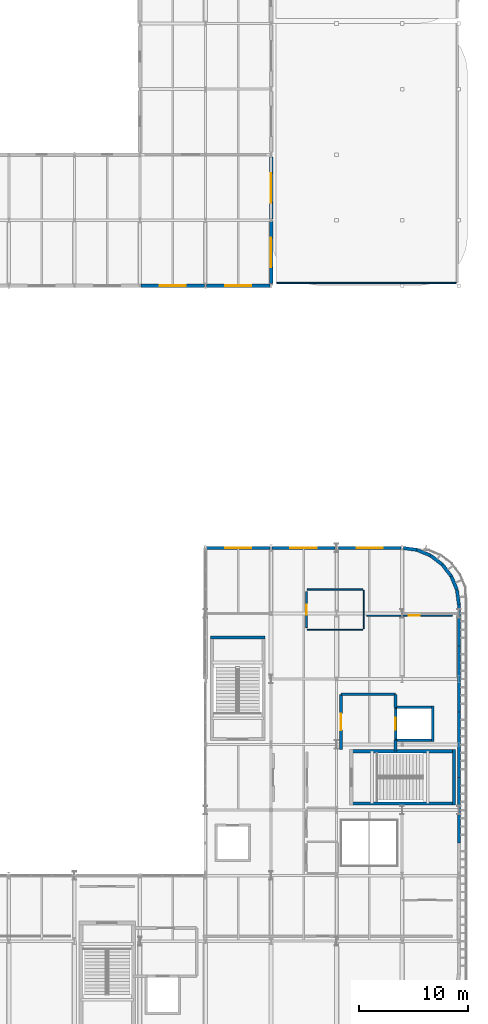
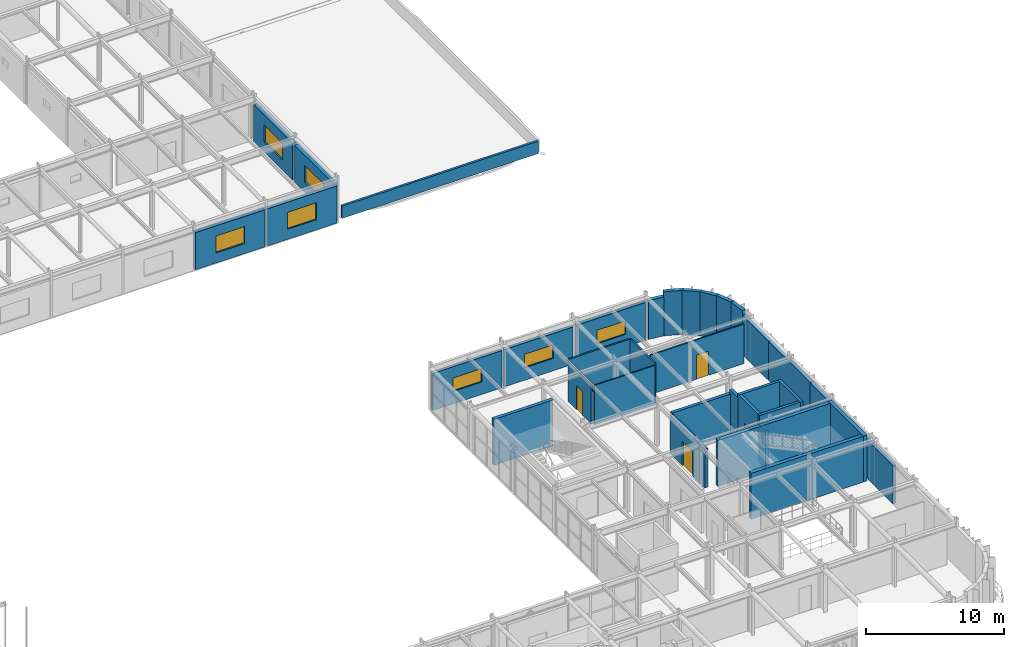
# One storey, part 95 of 116: 35 walls, 7 windows, 4 doors, 11 openings.
"""IFC4 building model written with IfcOpenShell, lengths in metres."""

from ifc_helpers import new_model, si_unit, direction, frame, frame_2d, origin, place, context, subcontext, project, spatial, rectangle, extrude, material, layer, layer_set, type_object, element, fill, save


model = new_model("IFC4")

# Units and contexts
model_context = context("Model", 3, precision=1e-05, world=origin(), true_north=direction((0.0, 1.0)))
body_context = subcontext(model_context, "Body", "Model", "MODEL_VIEW")
ifc_project = project(units=[si_unit("LENGTHUNIT", "METRE"), si_unit("AREAUNIT", "SQUARE_METRE"), si_unit("VOLUMEUNIT", "CUBIC_METRE"), si_unit("PLANEANGLEUNIT", "RADIAN"), si_unit("MASSUNIT", "GRAM", prefix="KILO")], contexts=[model_context])

# Site, building, storey
site_placement = place(None, origin())
site = spatial("IfcSite", under=ifc_project, at=site_placement, CompositionType="ELEMENT")
building_placement = place(site_placement, origin())
building = spatial("IfcBuilding", under=site, at=building_placement, Name="Varnakota Square Police Headquarters", CompositionType="ELEMENT")
storey_placement = place(building_placement, frame((0.0, 0.0, 9.300048828125)))
storey = spatial("IfcBuildingStorey", under=building, at=storey_placement, Name="L02", CompositionType="ELEMENT", Elevation=9.300048828125)

# Walls
ifc_material_1 = material(Name="Concrete M40", Category="concrete")
ifc_layer_1 = layer(ifc_material_1, 0.22998046875, Name="Concrete M40")
ifc_layer_set_1 = layer_set([ifc_layer_1], Name="Concrete M40")
wall_type_1 = type_object("IfcWallType", Name="WL-CORE-230", PredefinedType="SHEAR", material=ifc_layer_set_1)
wall_1_placement = place(storey_placement, frame((155.284912109375, 27.39990234375, 0.0), z_axis=(0.0, 0.0, 1.0), x_axis=(1.0, 0.0, 0.0)))
element("IfcWall", 1, at=wall_1_placement, inside=storey, type_object=wall_type_1, Name="Lift shaft wall LF-FF2 L02 S", PredefinedType="SHEAR", context=body_context, shape_type="SweptSolid", body=[
    extrude(rectangle(XDim=3.630126953125, YDim=0.22998046875, at=frame_2d((1.81494140625, 0.0))), origin(), (0.0, 0.0, 1.0), 4.199951171875),
])
wall_2_placement = place(storey_placement, frame((158.800048828125, 27.284912109375, 0.0), z_axis=(0.0, 0.0, 1.0), x_axis=(0.0, 1.0, 0.0)))
element("IfcWall", 2, at=wall_2_placement, inside=storey, type_object=wall_type_1, Name="Lift shaft wall LF-FF2 L02 E", PredefinedType="SHEAR", context=body_context, shape_type="SweptSolid", body=[
    extrude(rectangle(XDim=3.22998046875, YDim=0.22998046875, at=frame_2d((1.614990234375, 0.0))), origin(), (0.0, 0.0, 1.0), 4.199951171875),
])
wall_3_placement = place(storey_placement, frame((158.9150390625, 30.39990234375, 0.0), z_axis=(0.0, 0.0, 1.0), x_axis=(-1.0, 0.0, 0.0)))
element("IfcWall", 3, at=wall_3_placement, inside=storey, type_object=wall_type_1, Name="Lift shaft wall LF-FF2 L02 N", PredefinedType="SHEAR", context=body_context, shape_type="SweptSolid", body=[
    extrude(rectangle(XDim=3.630126953125, YDim=0.22998046875, at=frame_2d((1.81494140625, 0.0))), origin(), (0.0, 0.0, 1.0), 4.199951171875),
])

# Wall, opening, door
wall_4_placement = place(storey_placement, frame((155.39990234375, 30.514892578125, 0.0), z_axis=(0.0, 0.0, 1.0), x_axis=(0.0, -1.0, 0.0)))
wall_4 = element("IfcWall", 4, at=wall_4_placement, inside=storey, type_object=wall_type_1, Name="Lift shaft wall LF-FF2 L02 W", PredefinedType="SHEAR", context=body_context, shape_type="SweptSolid", body=[
    extrude(rectangle(XDim=3.22998046875, YDim=0.22998046875, at=frame_2d((1.614990234375, 0.0))), origin(), (0.0, 0.0, 1.0), 4.199951171875),
])
opening_1_placement = place(wall_4_placement, frame((1.06494140625, 0.0, 0.0)))
opening_1 = element("IfcOpeningElement", 5, at=opening_1_placement, cuts=wall_4, Name="Opening LD011", PredefinedType="OPENING", context=body_context, shape_type="SweptSolid", body=[
    extrude(rectangle(XDim=1.10009765625, YDim=2.199951171875, at=frame_2d((0.550048828125, 1.10009765625))), frame((0.0, 0.125, 0.0), z_axis=(0.0, -1.0, 0.0), x_axis=(1.0, 0.0, 0.0)), (0.0, 0.0, 1.0), 0.25),
])
ifc_material_2 = material(Name="Brushed Grade 316 Stainless Steel", Category="steel")
door_type_1 = type_object("IfcDoorType", Name="DR-LD-FF", OperationType="NOTDEFINED", PredefinedType="DOOR", material=ifc_material_2)
door_1_placement = place(opening_1_placement, origin())
door_1 = element("IfcDoor", 6, at=door_1_placement, inside=storey, type_object=door_type_1, Name="Lift sliding landing door LD011", OperationType="SLIDING_TO_LEFT", OverallHeight=2.199951171875, OverallWidth=1.10009765625, PredefinedType="DOOR", context=body_context, shape_type="SweptSolid", body=[
    extrude(rectangle(XDim=1.10009765625, YDim=2.199951171875, at=frame_2d((0.550048828125, 1.10009765625))), frame((0.0, 0.02490234375, 0.0), z_axis=(0.0, -1.0, 0.0), x_axis=(1.0, 0.0, 0.0)), (0.0, 0.0, 1.0), 0.050048828125),
])
fill(opening_1, door_1)

# Walls
ifc_material_3 = material(Name="Concrete M50", Category="concrete")
ifc_layer_2 = layer(ifc_material_3, 0.27001953125, Name="Concrete M50")
ifc_layer_set_2 = layer_set([ifc_layer_2], Name="Concrete M50")
wall_type_2 = type_object("IfcWallType", Name="WL-CORE-270", PredefinedType="SHEAR", material=ifc_layer_set_2)
wall_5_placement = place(storey_placement, frame((143.43505859375, 36.800048828125, 0.0), z_axis=(0.0, 0.0, 1.0), x_axis=(-1.0, 0.0, 0.0)))
element("IfcWall", 7, at=wall_5_placement, inside=storey, type_object=wall_type_2, Name="Core C3 shear wall L02 N", PredefinedType="SHEAR", context=body_context, shape_type="SweptSolid", body=[
    extrude(rectangle(XDim=4.969970703125, YDim=0.27001953125, at=frame_2d((2.48486328125, 0.0))), origin(), (0.0, 0.0, 1.0), 4.06005859375),
])
ifc_layer_3 = layer(ifc_material_3, 0.31005859375, Name="Concrete M50")
ifc_layer_set_3 = layer_set([ifc_layer_3], Name="Concrete M50")
wall_type_3 = type_object("IfcWallType", Name="WL-CORE-310", PredefinedType="SHEAR", material=ifc_layer_set_3)
wall_6_placement = place(storey_placement, frame((151.195068359375, 21.60009765625, 0.0), z_axis=(0.0, 0.0, 1.0), x_axis=(1.0, 0.0, 0.0)))
element("IfcWall", 8, at=wall_6_placement, inside=storey, type_object=wall_type_3, Name="Core C2 shear wall L02 S", PredefinedType="SHEAR", context=body_context, shape_type="SweptSolid", body=[
    extrude(rectangle(XDim=9.7099609375, YDim=0.31005859375, at=frame_2d((4.85498046875, 0.0))), origin(), (0.0, 0.0, 1.0), 4.06005859375),
])
wall_7_placement = place(storey_placement, frame((160.75, 21.445068359375, 0.0), z_axis=(0.0, 0.0, 1.0), x_axis=(0.0, 1.0, 0.0)))
element("IfcWall", 9, at=wall_7_placement, inside=storey, type_object=wall_type_3, Name="Core C2 shear wall L02 E", PredefinedType="SHEAR", context=body_context, shape_type="SweptSolid", body=[
    extrude(rectangle(XDim=5.10986328125, YDim=0.31005859375, at=frame_2d((2.554931640625, 0.0))), origin(), (0.0, 0.0, 1.0), 4.06005859375),
])
wall_8_placement = place(storey_placement, frame((160.905029296875, 26.39990234375, 0.0), z_axis=(0.0, 0.0, 1.0), x_axis=(-1.0, 0.0, 0.0)))
element("IfcWall", 10, at=wall_8_placement, inside=storey, type_object=wall_type_3, Name="Core C2 shear wall L02 N", PredefinedType="SHEAR", context=body_context, shape_type="SweptSolid", body=[
    extrude(rectangle(XDim=9.7099609375, YDim=0.31005859375, at=frame_2d((4.85498046875, 0.0))), origin(), (0.0, 0.0, 1.0), 4.06005859375),
])
ifc_layer_4 = layer(ifc_material_1, 0.280029296875, Name="Concrete M40")
ifc_layer_set_4 = layer_set([ifc_layer_4], Name="Concrete M40")
wall_type_4 = type_object("IfcWallType", Name="WL-EXT-280", PredefinedType="SOLIDWALL", material=ifc_layer_set_4)
wall_9_placement = place(storey_placement, frame((161.199951171875, 18.0, 0.0), z_axis=(0.0, 0.0, 1.0), x_axis=(0.0, 1.0, 0.0)))
element("IfcWall", 11, at=wall_9_placement, inside=storey, type_object=wall_type_4, Name="Exterior wall EW-L02-0182", PredefinedType="SOLIDWALL", context=body_context, shape_type="SweptSolid", body=[
    extrude(rectangle(XDim=6.0, YDim=0.280029296875, at=frame_2d((3.0, 0.0))), origin(), (0.0, 0.0, 1.0), 3.389892578125),
])
wall_10_placement = place(storey_placement, frame((161.199951171875, 24.0, 0.0), z_axis=(0.0, 0.0, 1.0), x_axis=(0.0, 1.0, 0.0)))
element("IfcWall", 12, at=wall_10_placement, inside=storey, type_object=wall_type_4, Name="Exterior wall EW-L02-0183", PredefinedType="SOLIDWALL", context=body_context, shape_type="SweptSolid", body=[
    extrude(rectangle(XDim=6.0, YDim=0.280029296875, at=frame_2d((3.0, 0.0))), origin(), (0.0, 0.0, 1.0), 3.43994140625),
])
wall_11_placement = place(storey_placement, frame((161.199951171875, 30.0, 0.0), z_axis=(0.0, 0.0, 1.0), x_axis=(0.0, 1.0, 0.0)))
element("IfcWall", 13, at=wall_11_placement, inside=storey, type_object=wall_type_4, Name="Exterior wall EW-L02-0184", PredefinedType="SOLIDWALL", context=body_context, shape_type="SweptSolid", body=[
    extrude(rectangle(XDim=6.0, YDim=0.280029296875, at=frame_2d((3.0, 0.0))), origin(), (0.0, 0.0, 1.0), 3.483642578125),
])
wall_12_placement = place(storey_placement, frame((161.199951171875, 36.0, 0.0), z_axis=(0.0, 0.0, 1.0), x_axis=(0.0, 1.0, 0.0)))
element("IfcWall", 14, at=wall_12_placement, inside=storey, type_object=wall_type_4, Name="Exterior wall EW-L02-0185", PredefinedType="SOLIDWALL", context=body_context, shape_type="SweptSolid", body=[
    extrude(rectangle(XDim=3.800048828125, YDim=0.280029296875, at=frame_2d((1.89990234375, 0.0))), origin(), (0.0, 0.0, 1.0), 3.483642578125),
])

# Wall, opening, window
wall_13_placement = place(storey_placement, frame((138.10400390625, 45.0, 0.0), z_axis=(0.0, 0.0, 1.0), x_axis=(1.0, 0.0, 0.0)))
wall_13 = element("IfcWall", 15, at=wall_13_placement, inside=storey, type_object=wall_type_4, Name="Exterior wall EW-L02-0190", PredefinedType="SOLIDWALL", context=body_context, shape_type="SweptSolid", body=[
    extrude(rectangle(XDim=5.787109375, YDim=0.280029296875, at=frame_2d((2.8935546875, 0.0))), origin(), (0.0, 0.0, 1.0), 3.2900390625),
])
opening_2_placement = place(wall_13_placement, frame((1.693603515625, 0.0, 1.10009765625)))
opening_2 = element("IfcOpeningElement", 16, at=opening_2_placement, cuts=wall_13, Name="Opening W06", PredefinedType="OPENING", context=body_context, shape_type="SweptSolid", body=[
    extrude(rectangle(XDim=2.39990234375, YDim=1.199951171875, at=frame_2d((1.199951171875, 0.60009765625))), frame((0.0, 0.14990234375, 0.0), z_axis=(0.0, -1.0, 0.0), x_axis=(1.0, 0.0, 0.0)), (0.0, 0.0, 1.0), 0.300048828125),
])
ifc_material_4 = material(Name="Thermally Broken Aluminium Double-Glazed Window", Category="aluminium")
window_type_1 = type_object("IfcWindowType", Name="WIN-06", PartitioningType="SINGLE_PANEL", PredefinedType="WINDOW", material=ifc_material_4)
window_1_placement = place(opening_2_placement, origin())
window_1 = element("IfcWindow", 17, at=window_1_placement, inside=storey, type_object=window_type_1, Name="Window WN-L02-0030", OverallHeight=1.199951171875, OverallWidth=2.39990234375, PartitioningType="SINGLE_PANEL", PredefinedType="WINDOW", context=body_context, shape_type="SweptSolid", body=[
    extrude(rectangle(XDim=2.39990234375, YDim=1.199951171875, at=frame_2d((1.199951171875, 0.60009765625))), frame((0.0, 0.030029296875, 0.0), z_axis=(0.0, -1.0, 0.0), x_axis=(1.0, 0.0, 0.0)), (0.0, 0.0, 1.0), 0.06005859375),
])
fill(opening_2, window_1)

wall_14_placement = place(storey_placement, frame((144.10888671875, 45.0, 0.0), z_axis=(0.0, 0.0, 1.0), x_axis=(1.0, 0.0, 0.0)))
wall_14 = element("IfcWall", 18, at=wall_14_placement, inside=storey, type_object=wall_type_4, Name="Exterior wall EW-L02-0191", PredefinedType="SOLIDWALL", context=body_context, shape_type="SweptSolid", body=[
    extrude(rectangle(XDim=5.72705078125, YDim=0.280029296875, at=frame_2d((2.863525390625, 0.0))), origin(), (0.0, 0.0, 1.0), 3.2900390625),
])
opening_3_placement = place(wall_14_placement, frame((1.66357421875, 0.0, 1.10009765625)))
opening_3 = element("IfcOpeningElement", 19, at=opening_3_placement, cuts=wall_14, Name="Opening W06", PredefinedType="OPENING", context=body_context, shape_type="SweptSolid", body=[
    extrude(rectangle(XDim=2.39990234375, YDim=1.199951171875, at=frame_2d((1.199951171875, 0.60009765625))), frame((0.0, 0.14990234375, 0.0), z_axis=(0.0, -1.0, 0.0), x_axis=(1.0, 0.0, 0.0)), (0.0, 0.0, 1.0), 0.300048828125),
])
window_2_placement = place(opening_3_placement, origin())
window_2 = element("IfcWindow", 20, at=window_2_placement, inside=storey, type_object=window_type_1, Name="Window WN-L02-0031", OverallHeight=1.199951171875, OverallWidth=2.39990234375, PartitioningType="SINGLE_PANEL", PredefinedType="WINDOW", context=body_context, shape_type="SweptSolid", body=[
    extrude(rectangle(XDim=2.39990234375, YDim=1.199951171875, at=frame_2d((1.199951171875, 0.60009765625))), frame((0.0, 0.030029296875, 0.0), z_axis=(0.0, -1.0, 0.0), x_axis=(1.0, 0.0, 0.0)), (0.0, 0.0, 1.0), 0.06005859375),
])
fill(opening_3, window_2)

wall_15_placement = place(storey_placement, frame((150.1640625, 45.0, 0.0), z_axis=(0.0, 0.0, 1.0), x_axis=(1.0, 0.0, 0.0)))
wall_15 = element("IfcWall", 21, at=wall_15_placement, inside=storey, type_object=wall_type_4, Name="Exterior wall EW-L02-0192", PredefinedType="SOLIDWALL", context=body_context, shape_type="SweptSolid", body=[
    extrude(rectangle(XDim=5.73193359375, YDim=0.280029296875, at=frame_2d((2.865966796875, 0.0))), origin(), (0.0, 0.0, 1.0), 3.33984375),
])
opening_4_placement = place(wall_15_placement, frame((1.666015625, 0.0, 1.10009765625)))
opening_4 = element("IfcOpeningElement", 22, at=opening_4_placement, cuts=wall_15, Name="Opening W06", PredefinedType="OPENING", context=body_context, shape_type="SweptSolid", body=[
    extrude(rectangle(XDim=2.39990234375, YDim=1.199951171875, at=frame_2d((1.199951171875, 0.60009765625))), frame((0.0, 0.14990234375, 0.0), z_axis=(0.0, -1.0, 0.0), x_axis=(1.0, 0.0, 0.0)), (0.0, 0.0, 1.0), 0.300048828125),
])
window_3_placement = place(opening_4_placement, origin())
window_3 = element("IfcWindow", 23, at=window_3_placement, inside=storey, type_object=window_type_1, Name="Window WN-L02-0032", OverallHeight=1.199951171875, OverallWidth=2.39990234375, PartitioningType="SINGLE_PANEL", PredefinedType="WINDOW", context=body_context, shape_type="SweptSolid", body=[
    extrude(rectangle(XDim=2.39990234375, YDim=1.199951171875, at=frame_2d((1.199951171875, 0.60009765625))), frame((0.0, 0.030029296875, 0.0), z_axis=(0.0, -1.0, 0.0), x_axis=(1.0, 0.0, 0.0)), (0.0, 0.0, 1.0), 0.06005859375),
])
fill(opening_4, window_3)

# Walls
ifc_material_5 = material(Name="Precast concrete M40", Category="concrete")
ifc_layer_5 = layer(ifc_material_5, 0.300048828125, Name="Precast concrete M40")
ifc_layer_set_5 = layer_set([ifc_layer_5], Name="Precast concrete M40")
wall_type_5 = type_object("IfcWallType", Name="WL-EXT-300", PredefinedType="SOLIDWALL", material=ifc_layer_set_5)
wall_16_placement = place(storey_placement, frame((161.199951171875, 39.800048828125, 0.0), z_axis=(0.0, 0.0, 1.0), x_axis=(-0.130561507967, 0.991440211328, 0.0)))
element("IfcWall", 24, at=wall_16_placement, inside=storey, type_object=wall_type_5, Name="Exterior wall EW-L02-0205", PredefinedType="SOLIDWALL", context=body_context, shape_type="SweptSolid", body=[
    extrude(rectangle(XDim=1.357666015625, YDim=0.300048828125, at=frame_2d((0.6787109375, 0.0))), origin(), (0.0, 0.0, 1.0), 3.89501953125),
])
wall_17_placement = place(storey_placement, frame((161.022705078125, 41.14599609375, 0.0), z_axis=(0.0, 0.0, 1.0), x_axis=(-0.382621882407, 0.923905024937, 0.0)))
element("IfcWall", 25, at=wall_17_placement, inside=storey, type_object=wall_type_5, Name="Exterior wall EW-L02-0206", PredefinedType="SOLIDWALL", context=body_context, shape_type="SweptSolid", body=[
    extrude(rectangle(XDim=1.357177734375, YDim=0.300048828125, at=frame_2d((0.6787109375, 0.0))), origin(), (0.0, 0.0, 1.0), 3.89501953125),
])
wall_18_placement = place(storey_placement, frame((160.50341796875, 42.39990234375, 0.0), z_axis=(0.0, 0.0, 1.0), x_axis=(-0.60871087169, 0.793392131727, 0.0)))
element("IfcWall", 26, at=wall_18_placement, inside=storey, type_object=wall_type_5, Name="Exterior wall EW-L02-0207", PredefinedType="SOLIDWALL", context=body_context, shape_type="SweptSolid", body=[
    extrude(rectangle(XDim=1.357666015625, YDim=0.300048828125, at=frame_2d((0.6787109375, 0.0))), origin(), (0.0, 0.0, 1.0), 3.89501953125),
])
for number, where, z_axis, x_axis, name in (
    (27, (159.677001953125, 43.47705078125, 0.0), (0.0, 0.0, 1.0), (-0.793412351971, 0.608684515772, 0.0), "Exterior wall EW-L02-0208"),
    (28, (158.60009765625, 44.30322265625, 0.0), (0.0, 0.0, 1.0), (-0.92386777328, 0.382711820428, 0.0), "Exterior wall EW-L02-0209"),
):
    element("IfcWall", number, at=place(storey_placement, frame(where, z_axis=z_axis, x_axis=x_axis)), inside=storey, type_object=wall_type_5, Name=name, PredefinedType="SOLIDWALL", context=body_context, shape_type="SweptSolid", body=[
        extrude(rectangle(XDim=1.357421875, YDim=0.300048828125, at=frame_2d((0.6787109375, 0.0))), origin(), (0.0, 0.0, 1.0), 3.89501953125),
    ])
wall_19_placement = place(storey_placement, frame((157.345947265625, 44.82275390625, 0.0), z_axis=(0.0, 0.0, 1.0), x_axis=(-0.991429311049, 0.130644254345, 0.0)))
element("IfcWall", 29, at=wall_19_placement, inside=storey, type_object=wall_type_5, Name="Exterior wall EW-L02-0210", PredefinedType="SOLIDWALL", context=body_context, shape_type="SweptSolid", body=[
    extrude(rectangle(XDim=1.2314453125, YDim=0.300048828125, at=frame_2d((0.61572265625, 0.0))), origin(), (0.0, 0.0, 1.0), 3.43994140625),
])

# Wall, opening, window
wall_20_placement = place(storey_placement, frame((132.0791015625, 69.0, 0.0), z_axis=(0.0, 0.0, 1.0), x_axis=(1.0, 0.0, 0.0)))
wall_20 = element("IfcWall", 30, at=wall_20_placement, inside=storey, type_object=wall_type_5, Name="Exterior wall EW-L02-0739", PredefinedType="SOLIDWALL", context=body_context, shape_type="SweptSolid", body=[
    extrude(rectangle(XDim=5.841796875, YDim=0.300048828125, at=frame_2d((2.9208984375, 0.0))), origin(), (0.0, 0.0, 1.0), 3.2900390625),
])
opening_5_placement = place(wall_20_placement, frame((1.720947265625, 0.0, 0.89990234375)))
opening_5 = element("IfcOpeningElement", 31, at=opening_5_placement, cuts=wall_20, Name="Opening W02", PredefinedType="OPENING", context=body_context, shape_type="SweptSolid", body=[
    extrude(rectangle(XDim=2.39990234375, YDim=1.5, at=frame_2d((1.199951171875, 0.75))), frame((0.0, 0.159912109375, 0.0), z_axis=(0.0, -1.0, 0.0), x_axis=(1.0, 0.0, 0.0)), (0.0, 0.0, 1.0), 0.320068359375),
])
window_type_2 = type_object("IfcWindowType", Name="WIN-02", PartitioningType="SINGLE_PANEL", PredefinedType="WINDOW", material=ifc_material_4)
window_4_placement = place(opening_5_placement, origin())
window_4 = element("IfcWindow", 32, at=window_4_placement, inside=storey, type_object=window_type_2, Name="Window WN-L02-0239", OverallHeight=1.5, OverallWidth=2.39990234375, PartitioningType="SINGLE_PANEL", PredefinedType="WINDOW", context=body_context, shape_type="SweptSolid", body=[
    extrude(rectangle(XDim=2.39990234375, YDim=1.5, at=frame_2d((1.199951171875, 0.75))), frame((0.0, 0.030029296875, 0.0), z_axis=(0.0, -1.0, 0.0), x_axis=(1.0, 0.0, 0.0)), (0.0, 0.0, 1.0), 0.06005859375),
])
fill(opening_5, window_4)

wall_21_placement = place(storey_placement, frame((138.0791015625, 69.0, 0.0), z_axis=(0.0, 0.0, 1.0), x_axis=(1.0, 0.0, 0.0)))
wall_21 = element("IfcWall", 33, at=wall_21_placement, inside=storey, type_object=wall_type_5, Name="Exterior wall EW-L02-0740", PredefinedType="SOLIDWALL", context=body_context, shape_type="SweptSolid", body=[
    extrude(rectangle(XDim=5.846923828125, YDim=0.300048828125, at=frame_2d((2.92333984375, 0.0))), origin(), (0.0, 0.0, 1.0), 3.2900390625),
])
opening_6_placement = place(wall_21_placement, frame((1.723388671875, 0.0, 0.89990234375)))
opening_6 = element("IfcOpeningElement", 34, at=opening_6_placement, cuts=wall_21, Name="Opening W02", PredefinedType="OPENING", context=body_context, shape_type="SweptSolid", body=[
    extrude(rectangle(XDim=2.39990234375, YDim=1.5, at=frame_2d((1.199951171875, 0.75))), frame((0.0, 0.159912109375, 0.0), z_axis=(0.0, -1.0, 0.0), x_axis=(1.0, 0.0, 0.0)), (0.0, 0.0, 1.0), 0.320068359375),
])
window_5_placement = place(opening_6_placement, origin())
window_5 = element("IfcWindow", 35, at=window_5_placement, inside=storey, type_object=window_type_2, Name="Window WN-L02-0240", OverallHeight=1.5, OverallWidth=2.39990234375, PartitioningType="SINGLE_PANEL", PredefinedType="WINDOW", context=body_context, shape_type="SweptSolid", body=[
    extrude(rectangle(XDim=2.39990234375, YDim=1.5, at=frame_2d((1.199951171875, 0.75))), frame((0.0, 0.030029296875, 0.0), z_axis=(0.0, -1.0, 0.0), x_axis=(1.0, 0.0, 0.0)), (0.0, 0.0, 1.0), 0.06005859375),
])
fill(opening_6, window_5)

ifc_layer_6 = layer(ifc_material_5, 0.320068359375, Name="Precast concrete M40")
ifc_layer_set_6 = layer_set([ifc_layer_6], Name="Precast concrete M40")
wall_type_6 = type_object("IfcWallType", Name="WL-EXT-320", PredefinedType="SOLIDWALL", material=ifc_layer_set_6)
wall_22_placement = place(storey_placement, frame((144.0, 69.2041015625, 0.0), z_axis=(0.0, 0.0, 1.0), x_axis=(0.0, 1.0, 0.0)))
wall_22 = element("IfcWall", 36, at=wall_22_placement, inside=storey, type_object=wall_type_6, Name="Exterior wall EW-L02-0741", PredefinedType="SOLIDWALL", context=body_context, shape_type="SweptSolid", body=[
    extrude(rectangle(XDim=5.6669921875, YDim=0.320068359375, at=frame_2d((2.83349609375, 0.0))), origin(), (0.0, 0.0, 1.0), 3.2900390625),
])
opening_7_placement = place(wall_22_placement, frame((1.4833984375, 0.0, 0.89990234375)))
opening_7 = element("IfcOpeningElement", 37, at=opening_7_placement, cuts=wall_22, Name="Opening W10", PredefinedType="OPENING", context=body_context, shape_type="SweptSolid", body=[
    extrude(rectangle(XDim=2.699951171875, YDim=1.5, at=frame_2d((1.35009765625, 0.75))), frame((0.0, 0.169921875, 0.0), z_axis=(0.0, -1.0, 0.0), x_axis=(1.0, 0.0, 0.0)), (0.0, 0.0, 1.0), 0.340087890625),
])
window_type_3 = type_object("IfcWindowType", Name="WIN-10", PartitioningType="SINGLE_PANEL", PredefinedType="WINDOW", material=ifc_material_4)
window_6_placement = place(opening_7_placement, origin())
window_6 = element("IfcWindow", 38, at=window_6_placement, inside=storey, type_object=window_type_3, Name="Window WN-L02-0241", OverallHeight=1.5, OverallWidth=2.699951171875, PartitioningType="SINGLE_PANEL", PredefinedType="WINDOW", context=body_context, shape_type="SweptSolid", body=[
    extrude(rectangle(XDim=2.699951171875, YDim=1.5, at=frame_2d((1.35009765625, 0.75))), frame((0.0, 0.030029296875, 0.0), z_axis=(0.0, -1.0, 0.0), x_axis=(1.0, 0.0, 0.0)), (0.0, 0.0, 1.0), 0.06005859375),
])
fill(opening_7, window_6)

wall_23_placement = place(storey_placement, frame((144.0, 75.12890625, 0.0), z_axis=(0.0, 0.0, 1.0), x_axis=(0.0, 1.0, 0.0)))
wall_23 = element("IfcWall", 39, at=wall_23_placement, inside=storey, type_object=wall_type_6, Name="Exterior wall EW-L02-0742", PredefinedType="SOLIDWALL", context=body_context, shape_type="SweptSolid", body=[
    extrude(rectangle(XDim=5.64208984375, YDim=0.320068359375, at=frame_2d((2.821044921875, 0.0))), origin(), (0.0, 0.0, 1.0), 3.2900390625),
])
opening_8_placement = place(wall_23_placement, frame((1.470947265625, 0.0, 0.89990234375)))
opening_8 = element("IfcOpeningElement", 40, at=opening_8_placement, cuts=wall_23, Name="Opening W10", PredefinedType="OPENING", context=body_context, shape_type="SweptSolid", body=[
    extrude(rectangle(XDim=2.699951171875, YDim=1.5, at=frame_2d((1.35009765625, 0.75))), frame((0.0, 0.169921875, 0.0), z_axis=(0.0, -1.0, 0.0), x_axis=(1.0, 0.0, 0.0)), (0.0, 0.0, 1.0), 0.340087890625),
])
window_7_placement = place(opening_8_placement, origin())
window_7 = element("IfcWindow", 41, at=window_7_placement, inside=storey, type_object=window_type_3, Name="Window WN-L02-0242", OverallHeight=1.5, OverallWidth=2.699951171875, PartitioningType="SINGLE_PANEL", PredefinedType="WINDOW", context=body_context, shape_type="SweptSolid", body=[
    extrude(rectangle(XDim=2.699951171875, YDim=1.5, at=frame_2d((1.35009765625, 0.75))), frame((0.0, 0.030029296875, 0.0), z_axis=(0.0, -1.0, 0.0), x_axis=(1.0, 0.0, 0.0)), (0.0, 0.0, 1.0), 0.06005859375),
])
fill(opening_8, window_7)

# Walls
ifc_layer_7 = layer(ifc_material_5, 0.179931640625, Name="Precast concrete M40")
ifc_layer_set_7 = layer_set([ifc_layer_7], Name="Precast concrete M40")
wall_type_7 = type_object("IfcWallType", Name="WL-PAR-180", PredefinedType="PARAPET", material=ifc_layer_set_7)
wall_24_placement = place(storey_placement, frame((144.5400390625, 69.25, 0.0), z_axis=(0.0, 0.0, 1.0), x_axis=(1.0, 0.0, 0.0)))
element("IfcWall", 42, at=wall_24_placement, inside=storey, type_object=wall_type_7, Name="Roof parapet wall PAR-L02-006", PredefinedType="PARAPET", context=body_context, shape_type="SweptSolid", body=[
    extrude(rectangle(XDim=16.419921875, YDim=0.179931640625, at=frame_2d((8.2099609375, 0.0))), origin(), (0.0, 0.0, 1.0), 1.099853515625),
])
ifc_material_6 = material(Name="Lightweight Demountable Office Partition", Category="gypsum")
ifc_layer_8 = layer(ifc_material_6, 0.094970703125, Name="Lightweight Demountable Office Partition")
ifc_layer_set_8 = layer_set([ifc_layer_8], Name="Lightweight Demountable Office Partition")
wall_type_8 = type_object("IfcWallType", Name="WL-PRT-095", PredefinedType="PARTITIONING", material=ifc_layer_set_8)
wall_25_placement = place(storey_placement, frame((152.419921875, 37.5, 0.0), z_axis=(0.0, 0.0, 1.0), x_axis=(-1.0, 0.0, 0.0)))
element("IfcWall", 43, at=wall_25_placement, inside=storey, type_object=wall_type_8, Name="Interior dividing partition PW-L02-0158 (L02 Operations Women Washroom WC)", PredefinedType="PARTITIONING", context=body_context, shape_type="SweptSolid", body=[
    extrude(rectangle(XDim=5.08984375, YDim=0.094970703125, at=frame_2d((2.544921875, 0.0))), origin(), (0.0, 0.0, 1.0), 3.483642578125),
])
ifc_material_7 = material(Name="Glazed Clean-Lab Modular Partition", Category="gypsum")
ifc_layer_9 = layer(ifc_material_7, 0.10498046875, Name="Glazed Clean-Lab Modular Partition")
ifc_layer_set_9 = layer_set([ifc_layer_9], Name="Glazed Clean-Lab Modular Partition")
wall_type_9 = type_object("IfcWallType", Name="WL-PRT-105", PredefinedType="PARTITIONING", material=ifc_layer_set_9)
wall_26_placement = place(storey_placement, frame((152.5, 41.1201171875, 0.0), z_axis=(0.0, 0.0, 1.0), x_axis=(0.0, -1.0, 0.0)))
element("IfcWall", 44, at=wall_26_placement, inside=storey, type_object=wall_type_9, Name="Interior dividing partition PW-L02-0157 (L02 Operations Women Washroom WC)", PredefinedType="PARTITIONING", context=body_context, shape_type="SweptSolid", body=[
    extrude(rectangle(XDim=3.5400390625, YDim=0.10498046875, at=frame_2d((1.77001953125, 0.0))), origin(), (0.0, 0.0, 1.0), 3.58984375),
])

# Wall, opening, door
ifc_material_8 = material(Name="Moisture-Resistant Tile-Backed Partition", Category="gypsum")
ifc_layer_10 = layer(ifc_material_8, 0.114990234375, Name="Moisture-Resistant Tile-Backed Partition")
ifc_layer_set_10 = layer_set([ifc_layer_10], Name="Moisture-Resistant Tile-Backed Partition")
wall_type_10 = type_object("IfcWallType", Name="WL-PRT-115", PredefinedType="PARTITIONING", material=ifc_layer_set_10)
wall_27_placement = place(storey_placement, frame((160.60009765625, 38.800048828125, 0.0), z_axis=(0.0, 0.0, 1.0), x_axis=(-1.0, 0.0, 0.0)))
wall_27 = element("IfcWall", 45, at=wall_27_placement, inside=storey, type_object=wall_type_10, Name="Interior partition PW-L02-0147 (Property Crime Investigation Office)", PredefinedType="PARTITIONING", context=body_context, shape_type="SweptSolid", body=[
    extrude(rectangle(XDim=7.85009765625, YDim=0.114990234375, at=frame_2d((3.925048828125, 0.0))), origin(), (0.0, 0.0, 1.0), 3.483642578125),
])
opening_9_placement = place(wall_27_placement, frame((2.97509765625, 0.0, 0.0)))
opening_9 = element("IfcOpeningElement", 46, at=opening_9_placement, cuts=wall_27, Name="Opening D234", PredefinedType="OPENING", context=body_context, shape_type="SweptSolid", body=[
    extrude(rectangle(XDim=1.0, YDim=2.14990234375, at=frame_2d((0.5, 1.074951171875))), frame((0.0, 0.0673828125, 0.0), z_axis=(0.0, -1.0, 0.0), x_axis=(1.0, 0.0, 0.0)), (0.0, 0.0, 1.0), 0.135009765625),
])
ifc_material_9 = material(Name="Solid-Core Teak Veneer Hardwood", Category="wood")
door_type_2 = type_object("IfcDoorType", Name="DR-OFF-100", OperationType="NOTDEFINED", PredefinedType="DOOR", material=ifc_material_9)
door_2_placement = place(opening_9_placement, origin())
door_2 = element("IfcDoor", 47, at=door_2_placement, inside=storey, type_object=door_type_2, Name="Room door D234 (Property Crime Investigation Office)", OperationType="SINGLE_SWING_LEFT", OverallHeight=2.14990234375, OverallWidth=1.0, PredefinedType="DOOR", context=body_context, shape_type="SweptSolid", body=[
    extrude(rectangle(XDim=1.0, YDim=2.14990234375, at=frame_2d((0.5, 1.074951171875))), frame((0.0, 0.02490234375, 0.0), z_axis=(0.0, -1.0, 0.0), x_axis=(1.0, 0.0, 0.0)), (0.0, 0.0, 1.0), 0.050048828125),
])
fill(opening_9, door_2)

ifc_material_10 = material(Name="Acoustic Insulated Metal-Stud Partition", Category="gypsum")
ifc_layer_11 = layer(ifc_material_10, 0.139892578125, Name="Acoustic Insulated Metal-Stud Partition")
ifc_layer_set_11 = layer_set([ifc_layer_11], Name="Acoustic Insulated Metal-Stud Partition")
wall_type_11 = type_object("IfcWallType", Name="WL-PRT-140", PredefinedType="PARTITIONING", material=ifc_layer_set_11)
wall_28_placement = place(storey_placement, frame((147.25, 37.699951171875, 0.0), z_axis=(0.0, 0.0, 1.0), x_axis=(0.0, 1.0, 0.0)))
wall_28 = element("IfcWall", 48, at=wall_28_placement, inside=storey, type_object=wall_type_11, Name="Interior partition PW-L02-0129 (L02 Operations Women Washroom WC)", PredefinedType="PARTITIONING", context=body_context, shape_type="SweptSolid", body=[
    extrude(rectangle(XDim=3.300048828125, YDim=0.139892578125, at=frame_2d((1.64990234375, 0.0))), origin(), (0.0, 0.0, 1.0), 3.5400390625),
])
opening_10_placement = place(wall_28_placement, frame((1.199951171875, 0.0, 0.0)))
opening_10 = element("IfcOpeningElement", 49, at=opening_10_placement, cuts=wall_28, Name="Opening D216", PredefinedType="OPENING", context=body_context, shape_type="SweptSolid", body=[
    extrude(rectangle(XDim=0.89990234375, YDim=2.10009765625, at=frame_2d((0.449951171875, 1.050048828125))), frame((0.0, 0.079833984375, 0.0), z_axis=(0.0, -1.0, 0.0), x_axis=(1.0, 0.0, 0.0)), (0.0, 0.0, 1.0), 0.159912109375),
])
ifc_material_11 = material(Name="High-Pressure Moisture-Resistant Compact Laminate")
door_type_3 = type_object("IfcDoorType", Name="DR-WC-090", OperationType="NOTDEFINED", PredefinedType="DOOR", material=ifc_material_11)
door_3_placement = place(opening_10_placement, origin())
door_3 = element("IfcDoor", 50, at=door_3_placement, inside=storey, type_object=door_type_3, Name="Room door D216 (L02 Operations Women Washroom WC)", OperationType="SINGLE_SWING_LEFT", OverallHeight=2.10009765625, OverallWidth=0.89990234375, PredefinedType="DOOR", context=body_context, shape_type="SweptSolid", body=[
    extrude(rectangle(XDim=0.89990234375, YDim=2.10009765625, at=frame_2d((0.449951171875, 1.050048828125))), frame((0.0, 0.02490234375, 0.0), z_axis=(0.0, -1.0, 0.0), x_axis=(1.0, 0.0, 0.0)), (0.0, 0.0, 1.0), 0.050048828125),
])
fill(opening_10, door_3)

# Wall
wall_29_placement = place(storey_placement, frame((147.330078125, 41.199951171875, 0.0), z_axis=(0.0, 0.0, 1.0), x_axis=(1.0, 0.0, 0.0)))
element("IfcWall", 51, at=wall_29_placement, inside=storey, type_object=wall_type_11, Name="Interior dividing partition PW-L02-0159 (L02 Operations Women Washroom WC)", PredefinedType="PARTITIONING", context=body_context, shape_type="SweptSolid", body=[
    extrude(rectangle(XDim=5.08984375, YDim=0.139892578125, at=frame_2d((2.544921875, 0.0))), origin(), (0.0, 0.0, 1.0), 3.566162109375),
])

# Wall, opening, door
ifc_layer_12 = layer(ifc_material_1, 0.25, Name="Concrete M40")
ifc_layer_set_12 = layer_set([ifc_layer_12], Name="Concrete M40")
wall_type_12 = type_object("IfcWallType", Name="WL-PRT-250F", PredefinedType="PARTITIONING", material=ifc_layer_set_12)
wall_30_placement = place(storey_placement, frame((150.39990234375, 26.550048828125, 0.0), z_axis=(0.0, 0.0, 1.0), x_axis=(0.0, 1.0, 0.0)))
wall_30 = element("IfcWall", 52, at=wall_30_placement, inside=storey, type_object=wall_type_12, Name="Firefighting lobby enclosure C2 L02", PredefinedType="PARTITIONING", context=body_context, shape_type="SweptSolid", body=[
    extrude(rectangle(XDim=5.050048828125, YDim=0.25, at=frame_2d((2.52490234375, 0.0))), origin(), (0.0, 0.0, 1.0), 3.43994140625),
])
opening_11_placement = place(wall_30_placement, frame((1.77490234375, 0.0, 0.0)))
opening_11 = element("IfcOpeningElement", 53, at=opening_11_placement, cuts=wall_30, Name="Opening FD038", PredefinedType="OPENING", context=body_context, shape_type="SweptSolid", body=[
    extrude(rectangle(XDim=1.5, YDim=2.14990234375, at=frame_2d((0.75, 1.074951171875))), frame((0.0, 0.135009765625, 0.0), z_axis=(0.0, -1.0, 0.0), x_axis=(1.0, 0.0, 0.0)), (0.0, 0.0, 1.0), 0.27001953125),
])
ifc_material_12 = material(Name="Smoke-Sealed Galvanised Acoustic Steel", Category="steel")
door_type_4 = type_object("IfcDoorType", Name="DR-FFL-150", OperationType="NOTDEFINED", PredefinedType="DOOR", material=ifc_material_12)
door_4_placement = place(opening_11_placement, origin())
door_4 = element("IfcDoor", 54, at=door_4_placement, inside=storey, type_object=door_type_4, Name="Firefighting lobby fire door FD038", OperationType="DOUBLE_DOOR_SINGLE_SWING", OverallHeight=2.14990234375, OverallWidth=1.5, PredefinedType="DOOR", context=body_context, shape_type="SweptSolid", body=[
    extrude(rectangle(XDim=1.5, YDim=2.14990234375, at=frame_2d((0.75, 1.074951171875))), frame((0.0, 0.02490234375, 0.0), z_axis=(0.0, -1.0, 0.0), x_axis=(1.0, 0.0, 0.0)), (0.0, 0.0, 1.0), 0.050048828125),
])
fill(opening_11, door_4)

# Walls
wall_31_placement = place(storey_placement, frame((150.39990234375, 31.60009765625, 0.0), z_axis=(0.0, 0.0, 1.0), x_axis=(1.0, 0.0, 0.0)))
element("IfcWall", 55, at=wall_31_placement, inside=storey, type_object=wall_type_12, Name="Firefighting lobby return wall C2 L02 N", PredefinedType="PARTITIONING", context=body_context, shape_type="SweptSolid", body=[
    extrude(rectangle(XDim=5.0, YDim=0.25, at=frame_2d((2.5, 0.0))), origin(), (0.0, 0.0, 1.0), 3.58984375),
])
wall_32_placement = place(storey_placement, frame((155.39990234375, 30.39990234375, 0.0), z_axis=(0.0, 0.0, 1.0), x_axis=(0.0, 1.0, 0.0)))
element("IfcWall", 56, at=wall_32_placement, inside=storey, type_object=wall_type_12, Name="Firefighting lobby return wall C2 L02 EN", PredefinedType="PARTITIONING", context=body_context, shape_type="SweptSolid", body=[
    extrude(rectangle(XDim=1.2001953125, YDim=0.25, at=frame_2d((0.60009765625, 0.0))), origin(), (0.0, 0.0, 1.0), 3.889892578125),
])
wall_33_placement = place(storey_placement, frame((155.39990234375, 26.39990234375, 0.0), z_axis=(0.0, 0.0, 1.0), x_axis=(0.0, 1.0, 0.0)))
element("IfcWall", 57, at=wall_33_placement, inside=storey, type_object=wall_type_12, Name="Firefighting lobby return wall C2 L02 ES", PredefinedType="PARTITIONING", context=body_context, shape_type="SweptSolid", body=[
    extrude(rectangle(XDim=1.0, YDim=0.25, at=frame_2d((0.5, 0.0))), origin(), (0.0, 0.0, 1.0), 3.43994140625),
])

save(model, "model.ifc")
